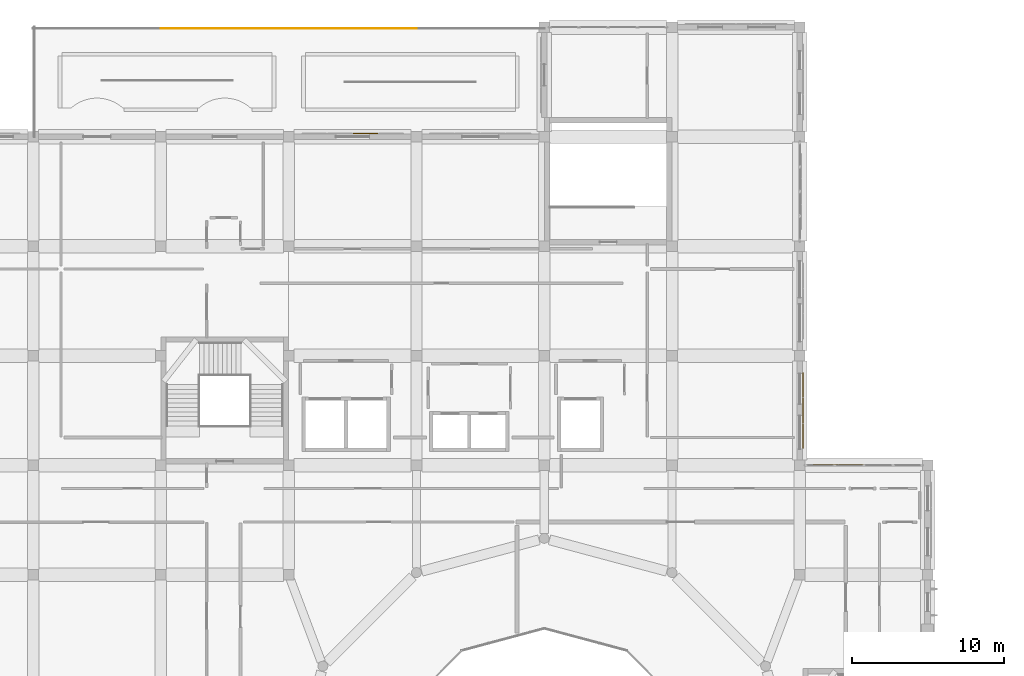
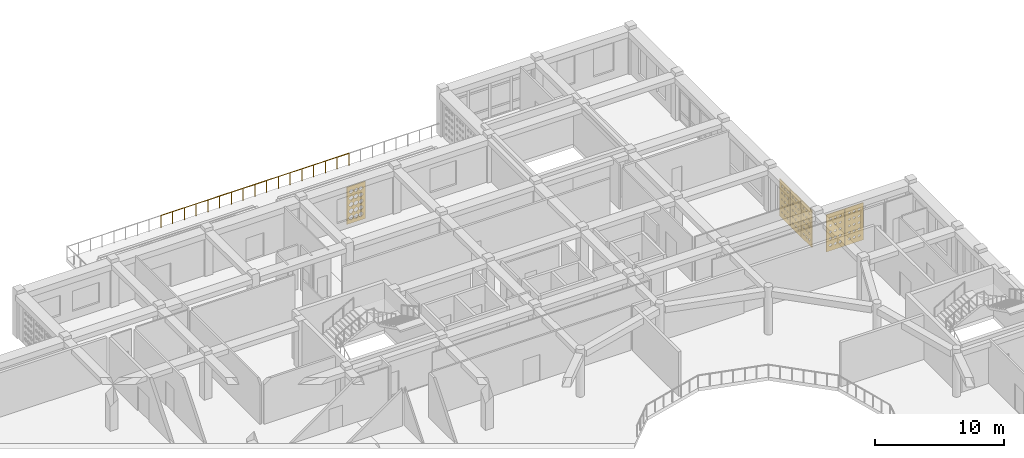
# One storey, part 73 of 79: 6 coverings, 2 railings.
"""IFC4 building model written with IfcOpenShell, lengths in metres."""

from ifc_helpers import new_model, si_unit, derived_unit, direction, frame, origin, origin_2d, place, context, subcontext, project, spatial, polyline, circle, outline, extrude, material, layer, layer_set, type_object, element, save


model = new_model("IFC4")

# Units and contexts
model_context = context("Model", 3, precision=1e-05, world=origin(), true_north=direction((0.0, 1.0)))
body_context = subcontext(model_context, "Body", "Model", "MODEL_VIEW")
ifc_project = project(units=[si_unit("LENGTHUNIT", "METRE"), si_unit("AREAUNIT", "SQUARE_METRE"), si_unit("VOLUMEUNIT", "CUBIC_METRE"), si_unit("PLANEANGLEUNIT", "RADIAN"), si_unit("MASSUNIT", "GRAM", prefix="KILO"), derived_unit("THERMALTRANSMITTANCEUNIT", [(si_unit("POWERUNIT", "WATT"), 1), (si_unit("LENGTHUNIT", "METRE"), -2), (si_unit("THERMODYNAMICTEMPERATUREUNIT", "KELVIN"), -1)])], contexts=[model_context])

# Site, building, storey
site_placement = place(None, origin())
site = spatial("IfcSite", under=ifc_project, at=site_placement, CompositionType="ELEMENT")
building_placement = place(site_placement, origin())
building = spatial("IfcBuilding", under=site, at=building_placement, Name="Veybourne Emporium", CompositionType="ELEMENT")
storey_placement = place(building_placement, frame((0.0, 0.0, 18.89990234375)))
storey = spatial("IfcBuildingStorey", under=building, at=storey_placement, Name="L04", CompositionType="ELEMENT", Elevation=18.89990234375)

# Railings
ifc_material_1 = material(Name="Patinated Architectural Bronze", Category="bronze")
railing_type = type_object("IfcRailingType", Name="Guard_GR-02", PredefinedType="GUARDRAIL", material=ifc_material_1)
railing_1_placement = place(storey_placement, frame((50.39990234375, 100.719970703125, 0.0)))
element("IfcRailing", 1, at=railing_1_placement, inside=storey, type_object=railing_type, Name="L04 terrace perimeter guardrail 003", PredefinedType="GUARDRAIL", context=body_context, shape_type="SweptSolid", body=[
    extrude(circle(Radius=0.02392578125, at=origin_2d()), frame((0.0, 0.0, 1.1259765625), z_axis=(1.0, 0.0, 0.0), x_axis=(0.0, 1.0, 0.0)), (0.0, 0.0, 1.0), 8.400146484375),
    extrude(circle(Radius=0.02099609375, at=origin_2d()), origin(), (0.0, 0.0, 1.0), 1.101806640625),
    extrude(circle(Radius=0.02099609375, at=origin_2d()), frame((1.050048828125, 0.0, 0.0)), (0.0, 0.0, 1.0), 1.101806640625),
    extrude(circle(Radius=0.02099609375, at=origin_2d()), frame((2.10009765625, 0.0, 0.0)), (0.0, 0.0, 1.0), 1.101806640625),
    extrude(circle(Radius=0.02099609375, at=origin_2d()), frame((3.150146484375, 0.0, 0.0)), (0.0, 0.0, 1.0), 1.101806640625),
    extrude(circle(Radius=0.02099609375, at=origin_2d()), frame((4.2001953125, 0.0, 0.0)), (0.0, 0.0, 1.0), 1.101806640625),
    extrude(circle(Radius=0.02099609375, at=origin_2d()), frame((5.25, 0.0, 0.0)), (0.0, 0.0, 1.0), 1.101806640625),
    extrude(circle(Radius=0.02099609375, at=origin_2d()), frame((6.300048828125, 0.0, 0.0)), (0.0, 0.0, 1.0), 1.101806640625),
    extrude(circle(Radius=0.02099609375, at=origin_2d()), frame((7.35009765625, 0.0, 0.0)), (0.0, 0.0, 1.0), 1.101806640625),
    extrude(circle(Radius=0.02099609375, at=origin_2d()), frame((8.400146484375, 0.0, 0.0)), (0.0, 0.0, 1.0), 1.101806640625),
])
railing_2_placement = place(storey_placement, frame((58.800048828125, 100.719970703125, 0.0)))
element("IfcRailing", 2, at=railing_2_placement, inside=storey, type_object=railing_type, Name="L04 terrace perimeter guardrail 004", PredefinedType="GUARDRAIL", context=body_context, shape_type="SweptSolid", body=[
    extrude(circle(Radius=0.02392578125, at=origin_2d()), frame((0.0, 0.0, 1.1259765625), z_axis=(1.0, 0.0, 0.0), x_axis=(0.0, 1.0, 0.0)), (0.0, 0.0, 1.0), 8.39990234375),
    extrude(circle(Radius=0.02099609375, at=origin_2d()), origin(), (0.0, 0.0, 1.0), 1.101806640625),
    extrude(circle(Radius=0.02099609375, at=origin_2d()), frame((1.050048828125, 0.0, 0.0)), (0.0, 0.0, 1.0), 1.101806640625),
    extrude(circle(Radius=0.02099609375, at=origin_2d()), frame((2.10009765625, 0.0, 0.0)), (0.0, 0.0, 1.0), 1.101806640625),
    extrude(circle(Radius=0.02099609375, at=origin_2d()), frame((3.14990234375, 0.0, 0.0)), (0.0, 0.0, 1.0), 1.101806640625),
    extrude(circle(Radius=0.02099609375, at=origin_2d()), frame((4.199951171875, 0.0, 0.0)), (0.0, 0.0, 1.0), 1.101806640625),
    extrude(circle(Radius=0.02099609375, at=origin_2d()), frame((5.25, 0.0, 0.0)), (0.0, 0.0, 1.0), 1.101806640625),
    extrude(circle(Radius=0.02099609375, at=origin_2d()), frame((6.2998046875, 0.0, 0.0)), (0.0, 0.0, 1.0), 1.101806640625),
    extrude(circle(Radius=0.02099609375, at=origin_2d()), frame((7.349853515625, 0.0, 0.0)), (0.0, 0.0, 1.0), 1.101806640625),
    extrude(circle(Radius=0.02099609375, at=origin_2d()), frame((8.39990234375, 0.0, 0.0)), (0.0, 0.0, 1.0), 1.101806640625),
])

# Coverings
ifc_material_2 = material(Name="Warm-White Perforated Aluminium Screen Alloy", Category="aluminium")
ifc_layer_1 = layer(ifc_material_2, 0.06005859375)
ifc_layer_set_1 = layer_set([ifc_layer_1], Name="Warm-White Perforated Aluminium Screen Alloy")
covering_type_1 = type_object("IfcCoveringType", Name="WaveScreen_SCR-01", PredefinedType="CLADDING", material=ifc_layer_set_1)
covering_1_placement = place(storey_placement, frame((92.64794921875, 77.280029296875, 1.815185546875), z_axis=(-1.0, 0.0, 0.0), x_axis=(0.0, -1.0, 0.0)))
element("IfcCovering", 3, at=covering_1_placement, inside=storey, type_object=covering_type_1, Name="L04 wave-perforated aluminium screen SCR-01 (43.1)", PredefinedType="CLADDING", context=body_context, shape_type="SweptSolid", body=[
    extrude(outline(polyline([(-0.81982421875, -1.7548828125), (0.81982421875, -1.7548828125), (0.81982421875, 1.7548828125), (-0.81982421875, 1.7548828125), (-0.81982421875, -1.7548828125)]), holes=[polyline([(-0.433349609375, -1.117919921875), (-0.333251953125, -1.1884765625), (-0.333251953125, -1.267578125), (-0.433349609375, -1.337890625), (-0.533203125, -1.267578125), (-0.533203125, -1.1884765625), (-0.433349609375, -1.117919921875)]), polyline([(-0.433349609375, -0.5029296875), (-0.33251953125, -0.573974609375), (-0.33251953125, -0.654052734375), (-0.433349609375, -0.72509765625), (-0.5341796875, -0.654052734375), (-0.5341796875, -0.573974609375), (-0.433349609375, -0.5029296875)]), polyline([(-0.433349609375, 0.114501953125), (-0.32958984375, 0.041259765625), (-0.32958984375, -0.041259765625), (-0.433349609375, -0.114501953125), (-0.537109375, -0.041259765625), (-0.537109375, 0.041259765625), (-0.433349609375, 0.114501953125)]), polyline([(-0.433349609375, 0.734130859375), (-0.324951171875, 0.6572265625), (-0.324951171875, 0.57080078125), (-0.433349609375, 0.493896484375), (-0.541748046875, 0.57080078125), (-0.541748046875, 0.6572265625), (-0.433349609375, 0.734130859375)]), polyline([(-0.433349609375, 1.356201171875), (-0.318603515625, 1.274169921875), (-0.318603515625, 1.181884765625), (-0.433349609375, 1.099853515625), (-0.548095703125, 1.181884765625), (-0.548095703125, 1.274169921875), (-0.433349609375, 1.356201171875)]), polyline([(0.0, -1.11767578125), (0.100341796875, -1.188232421875), (0.100341796875, -1.267578125), (0.0, -1.33837890625), (-0.100341796875, -1.267578125), (-0.100341796875, -1.188232421875), (0.0, -1.11767578125)]), polyline([(0.0, -0.503662109375), (0.10009765625, -0.57421875), (0.10009765625, -0.65380859375), (0.0, -0.724365234375), (-0.10009765625, -0.65380859375), (-0.10009765625, -0.57421875), (0.0, -0.503662109375)]), polyline([(0.0, 0.112548828125), (0.102294921875, 0.04052734375), (0.102294921875, -0.04052734375), (0.0, -0.112548828125), (-0.102294921875, -0.04052734375), (-0.102294921875, 0.04052734375), (0.0, 0.112548828125)]), polyline([(0.0, 0.7314453125), (0.10595703125, 0.65625), (0.10595703125, 0.57177734375), (0.0, 0.49658203125), (-0.10595703125, 0.57177734375), (-0.10595703125, 0.65625), (0.0, 0.7314453125)]), polyline([(0.0, 1.352294921875), (0.11181640625, 1.272705078125), (0.11181640625, 1.183349609375), (0.0, 1.103759765625), (-0.11181640625, 1.183349609375), (-0.11181640625, 1.272705078125), (0.0, 1.352294921875)]), polyline([(0.433349609375, -1.11669921875), (0.5341796875, -1.18798828125), (0.5341796875, -1.26806640625), (0.433349609375, -1.339111328125), (0.33251953125, -1.26806640625), (0.33251953125, -1.18798828125), (0.433349609375, -1.11669921875)]), polyline([(0.433349609375, -0.50390625), (0.533203125, -0.574462890625), (0.533203125, -0.653564453125), (0.433349609375, -0.72412109375), (0.333251953125, -0.653564453125), (0.333251953125, -0.574462890625), (0.433349609375, -0.50390625)]), polyline([(0.433349609375, 0.111328125), (0.534423828125, 0.0400390625), (0.534423828125, -0.0400390625), (0.433349609375, -0.111328125), (0.332275390625, -0.0400390625), (0.332275390625, 0.0400390625), (0.433349609375, 0.111328125)]), polyline([(0.433349609375, 0.72900390625), (0.537353515625, 0.655517578125), (0.537353515625, 0.572509765625), (0.433349609375, 0.4990234375), (0.329345703125, 0.572509765625), (0.329345703125, 0.655517578125), (0.433349609375, 0.72900390625)]), polyline([(0.433349609375, 1.348876953125), (0.542236328125, 1.271484375), (0.542236328125, 1.1845703125), (0.433349609375, 1.107177734375), (0.324462890625, 1.1845703125), (0.324462890625, 1.271484375), (0.433349609375, 1.348876953125)])]), origin(), (0.0, 0.0, 1.0), 0.06005859375),
])
covering_2_placement = place(storey_placement, frame((95.760009765625, 72.093017578125, 1.815185546875), z_axis=(0.0, -1.0, 0.0), x_axis=(1.0, 0.0, 0.0)))
element("IfcCovering", 4, at=covering_2_placement, inside=storey, type_object=covering_type_1, Name="L04 wave-perforated aluminium screen SCR-01 (54C.2)", PredefinedType="CLADDING", context=body_context, shape_type="SweptSolid", body=[
    extrude(outline(polyline([(-0.81982421875, -1.7548828125), (0.81982421875, -1.7548828125), (0.81982421875, 1.7548828125), (-0.81982421875, 1.7548828125), (-0.81982421875, -1.7548828125)]), holes=[polyline([(-0.433349609375, -1.106201171875), (-0.32373046875, -1.18408203125), (-0.32373046875, -1.27197265625), (-0.433349609375, -1.349853515625), (-0.54296875, -1.27197265625), (-0.54296875, -1.18408203125), (-0.433349609375, -1.106201171875)]), polyline([(-0.433349609375, -0.498291015625), (-0.328857421875, -0.572509765625), (-0.328857421875, -0.655517578125), (-0.433349609375, -0.7294921875), (-0.537841796875, -0.655517578125), (-0.537841796875, -0.572509765625), (-0.433349609375, -0.498291015625)]), polyline([(-0.433349609375, 0.111572265625), (-0.33203125, 0.040283203125), (-0.33203125, -0.040283203125), (-0.433349609375, -0.111572265625), (-0.53466796875, -0.040283203125), (-0.53466796875, 0.040283203125), (-0.433349609375, 0.111572265625)]), polyline([(-0.433349609375, 0.72412109375), (-0.333251953125, 0.653564453125), (-0.333251953125, 0.574462890625), (-0.433349609375, 0.50390625), (-0.533447265625, 0.574462890625), (-0.533447265625, 0.653564453125), (-0.433349609375, 0.72412109375)]), polyline([(-0.433349609375, 1.3388671875), (-0.33251953125, 1.267822265625), (-0.33251953125, 1.18798828125), (-0.433349609375, 1.1171875), (-0.5341796875, 1.18798828125), (-0.5341796875, 1.267822265625), (-0.433349609375, 1.3388671875)]), polyline([(0.0, -1.109375), (0.107177734375, -1.185302734375), (0.107177734375, -1.270751953125), (0.0, -1.3466796875), (-0.107177734375, -1.270751953125), (-0.107177734375, -1.185302734375), (0.0, -1.109375)]), polyline([(0.0, -0.50048828125), (0.102783203125, -0.572998046875), (0.102783203125, -0.65478515625), (0.0, -0.7275390625), (-0.102783203125, -0.65478515625), (-0.102783203125, -0.572998046875), (0.0, -0.50048828125)]), polyline([(0.0, 0.110595703125), (0.1005859375, 0.039794921875), (0.1005859375, -0.039794921875), (0.0, -0.110595703125), (-0.1005859375, -0.039794921875), (-0.1005859375, 0.039794921875), (0.0, 0.110595703125)]), polyline([(0.0, 0.72412109375), (0.10009765625, 0.653564453125), (0.10009765625, 0.574462890625), (0.0, 0.50390625), (-0.10009765625, 0.574462890625), (-0.10009765625, 0.653564453125), (0.0, 0.72412109375)]), polyline([(0.0, 1.340087890625), (0.101806640625, 1.268310546875), (0.101806640625, 1.187744140625), (0.0, 1.115966796875), (-0.101806640625, 1.187744140625), (-0.101806640625, 1.268310546875), (0.0, 1.340087890625)]), polyline([(0.433349609375, -1.11181640625), (0.538330078125, -1.186279296875), (0.538330078125, -1.269775390625), (0.433349609375, -1.343994140625), (0.328369140625, -1.269775390625), (0.328369140625, -1.186279296875), (0.433349609375, -1.11181640625)]), polyline([(0.433349609375, -0.502197265625), (0.534912109375, -0.57373046875), (0.534912109375, -0.654296875), (0.433349609375, -0.725830078125), (0.331787109375, -0.654296875), (0.331787109375, -0.57373046875), (0.433349609375, -0.502197265625)]), polyline([(0.433349609375, 0.110107421875), (0.533447265625, 0.03955078125), (0.533447265625, -0.03955078125), (0.433349609375, -0.110107421875), (0.333251953125, -0.03955078125), (0.333251953125, 0.03955078125), (0.433349609375, 0.110107421875)]), polyline([(0.433349609375, 0.724609375), (0.533935546875, 0.65380859375), (0.533935546875, 0.57421875), (0.433349609375, 0.50341796875), (0.332763671875, 0.57421875), (0.332763671875, 0.65380859375), (0.433349609375, 0.724609375)]), polyline([(0.433349609375, 1.341796875), (0.536376953125, 1.268798828125), (0.536376953125, 1.18701171875), (0.433349609375, 1.1142578125), (0.330322265625, 1.18701171875), (0.330322265625, 1.268798828125), (0.433349609375, 1.341796875)])]), origin(), (0.0, 0.0, 1.0), 0.06005859375),
])
ifc_layer_2 = layer(ifc_material_2, 0.06005859375)
ifc_layer_set_2 = layer_set([ifc_layer_2], Name="Warm-White Perforated Aluminium Screen Alloy")
covering_type_2 = type_object("IfcCoveringType", Name="WaveScreen_SCR-02", PredefinedType="CLADDING", material=ifc_layer_set_2)
covering_3_placement = place(storey_placement, frame((92.64794921875, 75.60009765625, 1.815185546875), z_axis=(-1.0, 0.0, 0.0), x_axis=(0.0, -1.0, 0.0)))
element("IfcCovering", 5, at=covering_3_placement, inside=storey, type_object=covering_type_2, Name="L04 wave-perforated aluminium screen SCR-02 (43.2)", PredefinedType="CLADDING", context=body_context, shape_type="SweptSolid", body=[
    extrude(outline(polyline([(-0.81982421875, -1.7548828125), (0.81982421875, -1.7548828125), (0.81982421875, 1.7548828125), (-0.81982421875, 1.7548828125), (-0.81982421875, -1.7548828125)]), holes=[polyline([(-0.433349609375, -1.114013671875), (-0.330078125, -1.18701171875), (-0.330078125, -1.26904296875), (-0.433349609375, -1.342041015625), (-0.53662109375, -1.26904296875), (-0.53662109375, -1.18701171875), (-0.433349609375, -1.114013671875)]), polyline([(-0.433349609375, -0.503173828125), (-0.33251953125, -0.57421875), (-0.33251953125, -0.65380859375), (-0.433349609375, -0.724853515625), (-0.533935546875, -0.65380859375), (-0.533935546875, -0.57421875), (-0.433349609375, -0.503173828125)]), polyline([(-0.433349609375, 0.110107421875), (-0.333251953125, 0.03955078125), (-0.333251953125, -0.03955078125), (-0.433349609375, -0.110107421875), (-0.533447265625, -0.03955078125), (-0.533447265625, 0.03955078125), (-0.433349609375, 0.110107421875)]), polyline([(-0.433349609375, 0.7255859375), (-0.33203125, 0.654296875), (-0.33203125, 0.57373046875), (-0.433349609375, 0.502197265625), (-0.53466796875, 0.57373046875), (-0.53466796875, 0.654296875), (-0.433349609375, 0.7255859375)]), polyline([(-0.433349609375, 1.34375), (-0.32861328125, 1.26953125), (-0.32861328125, 1.186279296875), (-0.433349609375, 1.1123046875), (-0.5380859375, 1.186279296875), (-0.5380859375, 1.26953125), (-0.433349609375, 1.34375)]), polyline([(0.0, -1.11181640625), (0.10498046875, -1.18603515625), (0.10498046875, -1.27001953125), (0.0, -1.34423828125), (-0.10498046875, -1.27001953125), (-0.10498046875, -1.18603515625), (0.0, -1.11181640625)]), polyline([(0.0, -0.501953125), (0.1015625, -0.57373046875), (0.1015625, -0.654296875), (0.0, -0.72607421875), (-0.1015625, -0.654296875), (-0.1015625, -0.57373046875), (0.0, -0.501953125)]), polyline([(0.0, 0.110107421875), (0.10009765625, 0.03955078125), (0.10009765625, -0.03955078125), (0.0, -0.110107421875), (-0.10009765625, -0.03955078125), (-0.10009765625, 0.03955078125), (0.0, 0.110107421875)]), polyline([(0.0, 0.724609375), (0.1005859375, 0.65380859375), (0.1005859375, 0.57421875), (0.0, 0.50341796875), (-0.1005859375, 0.57421875), (-0.1005859375, 0.65380859375), (0.0, 0.724609375)]), polyline([(0.0, 1.341552734375), (0.102783203125, 1.268798828125), (0.102783203125, 1.18701171875), (0.0, 1.114501953125), (-0.102783203125, 1.18701171875), (-0.102783203125, 1.268798828125), (0.0, 1.341552734375)]), polyline([(0.433349609375, -1.10888671875), (0.540771484375, -1.185302734375), (0.540771484375, -1.270751953125), (0.433349609375, -1.346923828125), (0.325927734375, -1.270751953125), (0.325927734375, -1.185302734375), (0.433349609375, -1.10888671875)]), polyline([(0.433349609375, -0.500244140625), (0.536376953125, -0.572998046875), (0.536376953125, -0.65478515625), (0.433349609375, -0.727783203125), (0.330322265625, -0.65478515625), (0.330322265625, -0.572998046875), (0.433349609375, -0.500244140625)]), polyline([(0.433349609375, 0.110595703125), (0.533935546875, 0.039794921875), (0.533935546875, -0.039794921875), (0.433349609375, -0.110595703125), (0.332763671875, -0.039794921875), (0.332763671875, 0.039794921875), (0.433349609375, 0.110595703125)]), polyline([(0.433349609375, 0.72412109375), (0.533447265625, 0.653564453125), (0.533447265625, 0.574462890625), (0.433349609375, 0.50390625), (0.333251953125, 0.574462890625), (0.333251953125, 0.653564453125), (0.433349609375, 0.72412109375)]), polyline([(0.433349609375, 1.33984375), (0.534912109375, 1.268310546875), (0.534912109375, 1.187744140625), (0.433349609375, 1.1162109375), (0.331787109375, 1.187744140625), (0.331787109375, 1.268310546875), (0.433349609375, 1.33984375)])]), origin(), (0.0, 0.0, 1.0), 0.06005859375),
])
ifc_layer_3 = layer(ifc_material_2, 0.06005859375)
ifc_layer_set_3 = layer_set([ifc_layer_3], Name="Warm-White Perforated Aluminium Screen Alloy")
covering_type_3 = type_object("IfcCoveringType", Name="WaveScreen_SCR-03", PredefinedType="CLADDING", material=ifc_layer_set_3)
covering_4_placement = place(storey_placement, frame((63.840087890625, 93.84814453125, 1.815185546875), z_axis=(0.0, -1.0, 0.0), x_axis=(1.0, 0.0, 0.0)))
element("IfcCovering", 6, at=covering_4_placement, inside=storey, type_object=covering_type_3, Name="L04 wave-perforated aluminium screen SCR-03 (35T.3)", PredefinedType="CLADDING", context=body_context, shape_type="SweptSolid", body=[
    extrude(outline(polyline([(-0.81982421875, -1.7548828125), (0.81982421875, -1.7548828125), (0.81982421875, 1.7548828125), (-0.81982421875, 1.7548828125), (-0.81982421875, -1.7548828125)]), holes=[polyline([(-0.433349609375, -0.976318359375), (-0.2470703125, -1.137451171875), (-0.2470703125, -1.318603515625), (-0.433349609375, -1.479736328125), (-0.61962890625, -1.318603515625), (-0.61962890625, -1.137451171875), (-0.433349609375, -0.976318359375)]), polyline([(-0.433349609375, -0.373046875), (-0.2470703125, -0.527099609375), (-0.2470703125, -0.70068359375), (-0.433349609375, -0.85498046875), (-0.61962890625, -0.70068359375), (-0.61962890625, -0.527099609375), (-0.433349609375, -0.373046875)]), polyline([(-0.433349609375, 0.22900390625), (-0.2470703125, 0.08251953125), (-0.2470703125, -0.08251953125), (-0.433349609375, -0.22900390625), (-0.61962890625, -0.08251953125), (-0.61962890625, 0.08251953125), (-0.433349609375, 0.22900390625)]), polyline([(-0.433349609375, 0.82958984375), (-0.2470703125, 0.691650390625), (-0.2470703125, 0.536376953125), (-0.433349609375, 0.398193359375), (-0.61962890625, 0.536376953125), (-0.61962890625, 0.691650390625), (-0.433349609375, 0.82958984375)]), polyline([(-0.433349609375, 1.4296875), (-0.25830078125, 1.30078125), (-0.25830078125, 1.1552734375), (-0.433349609375, 1.026123046875), (-0.6083984375, 1.1552734375), (-0.6083984375, 1.30078125), (-0.433349609375, 1.4296875)]), polyline([(0.0, -0.98095703125), (0.186279296875, -1.13916015625), (0.186279296875, -1.31689453125), (0.0, -1.47509765625), (-0.186279296875, -1.31689453125), (-0.186279296875, -1.13916015625), (0.0, -0.98095703125)]), polyline([(0.0, -0.37841796875), (0.186279296875, -0.529296875), (0.186279296875, -0.69873046875), (0.0, -0.849609375), (-0.186279296875, -0.69873046875), (-0.186279296875, -0.529296875), (0.0, -0.37841796875)]), polyline([(0.0, 0.222900390625), (0.186279296875, 0.080322265625), (0.186279296875, -0.080322265625), (0.0, -0.222900390625), (-0.186279296875, -0.080322265625), (-0.186279296875, 0.080322265625), (0.0, 0.222900390625)]), polyline([(0.0, 0.823486328125), (0.181396484375, 0.689453125), (0.181396484375, 0.53857421875), (0.0, 0.404541015625), (-0.181396484375, 0.53857421875), (-0.181396484375, 0.689453125), (0.0, 0.823486328125)]), polyline([(0.0, 1.42333984375), (0.169921875, 1.29833984375), (0.169921875, 1.15771484375), (0.0, 1.03271484375), (-0.169921875, 1.15771484375), (-0.169921875, 1.29833984375), (0.0, 1.42333984375)]), polyline([(0.433349609375, -0.98583984375), (0.61962890625, -1.140869140625), (0.61962890625, -1.315185546875), (0.433349609375, -1.47021484375), (0.2470703125, -1.315185546875), (0.2470703125, -1.140869140625), (0.433349609375, -0.98583984375)]), polyline([(0.433349609375, -0.3837890625), (0.61962890625, -0.53125), (0.61962890625, -0.69677734375), (0.433349609375, -0.843994140625), (0.2470703125, -0.69677734375), (0.2470703125, -0.53125), (0.433349609375, -0.3837890625)]), polyline([(0.433349609375, 0.216796875), (0.61962890625, 0.078125), (0.61962890625, -0.078125), (0.433349609375, -0.216796875), (0.2470703125, -0.078125), (0.2470703125, 0.078125), (0.433349609375, 0.216796875)]), polyline([(0.433349609375, 0.817138671875), (0.609619140625, 0.68701171875), (0.609619140625, 0.541015625), (0.433349609375, 0.410888671875), (0.257080078125, 0.541015625), (0.257080078125, 0.68701171875), (0.433349609375, 0.817138671875)]), polyline([(0.433349609375, 1.4169921875), (0.597900390625, 1.2958984375), (0.597900390625, 1.159912109375), (0.433349609375, 1.0390625), (0.268798828125, 1.159912109375), (0.268798828125, 1.2958984375), (0.433349609375, 1.4169921875)])]), origin(), (0.0, 0.0, 1.0), 0.06005859375),
])
covering_5_placement = place(storey_placement, frame((92.64794921875, 73.919921875, 1.815185546875), z_axis=(-1.0, 0.0, 0.0), x_axis=(0.0, -1.0, 0.0)))
element("IfcCovering", 7, at=covering_5_placement, inside=storey, type_object=covering_type_3, Name="L04 wave-perforated aluminium screen SCR-03 (43.3)", PredefinedType="CLADDING", context=body_context, shape_type="SweptSolid", body=[
    extrude(outline(polyline([(-0.81982421875, -1.7548828125), (0.81982421875, -1.7548828125), (0.81982421875, 1.7548828125), (-0.81982421875, 1.7548828125), (-0.81982421875, -1.7548828125)]), holes=[polyline([(-0.433349609375, -1.102783203125), (-0.32080078125, -1.182861328125), (-0.32080078125, -1.273193359375), (-0.433349609375, -1.353271484375), (-0.5458984375, -1.273193359375), (-0.5458984375, -1.182861328125), (-0.433349609375, -1.102783203125)]), polyline([(-0.433349609375, -0.49609375), (-0.326904296875, -0.571533203125), (-0.326904296875, -0.656494140625), (-0.433349609375, -0.73193359375), (-0.539794921875, -0.656494140625), (-0.539794921875, -0.571533203125), (-0.433349609375, -0.49609375)]), polyline([(-0.433349609375, 0.113037109375), (-0.330810546875, 0.040771484375), (-0.330810546875, -0.040771484375), (-0.433349609375, -0.113037109375), (-0.535888671875, -0.040771484375), (-0.535888671875, 0.040771484375), (-0.433349609375, 0.113037109375)]), polyline([(-0.433349609375, 0.724365234375), (-0.3330078125, 0.65380859375), (-0.3330078125, 0.57421875), (-0.433349609375, 0.503662109375), (-0.53369140625, 0.57421875), (-0.53369140625, 0.65380859375), (-0.433349609375, 0.724365234375)]), polyline([(-0.433349609375, 1.338134765625), (-0.333251953125, 1.267578125), (-0.333251953125, 1.188232421875), (-0.433349609375, 1.117919921875), (-0.533447265625, 1.188232421875), (-0.533447265625, 1.267578125), (-0.433349609375, 1.338134765625)]), polyline([(0.0, -1.098876953125), (0.11572265625, -1.181396484375), (0.11572265625, -1.2744140625), (0.0, -1.357177734375), (-0.11572265625, -1.2744140625), (-0.11572265625, -1.181396484375), (0.0, -1.098876953125)]), polyline([(0.0, -0.492919921875), (0.10888671875, -0.5703125), (0.10888671875, -0.65771484375), (0.0, -0.735107421875), (-0.10888671875, -0.65771484375), (-0.10888671875, -0.5703125), (0.0, -0.492919921875)]), polyline([(0.0, 0.114990234375), (0.10400390625, 0.04150390625), (0.10400390625, -0.04150390625), (0.0, -0.114990234375), (-0.10400390625, -0.04150390625), (-0.10400390625, 0.04150390625), (0.0, 0.114990234375)]), polyline([(0.0, 0.725341796875), (0.10107421875, 0.654052734375), (0.10107421875, 0.573974609375), (0.0, 0.502685546875), (-0.10107421875, 0.573974609375), (-0.10107421875, 0.654052734375), (0.0, 0.725341796875)]), polyline([(0.0, 1.337890625), (0.10009765625, 1.267578125), (0.10009765625, 1.1884765625), (0.0, 1.117919921875), (-0.10009765625, 1.1884765625), (-0.10009765625, 1.267578125), (0.0, 1.337890625)]), polyline([(0.433349609375, -1.094482421875), (0.552490234375, -1.179931640625), (0.552490234375, -1.27587890625), (0.433349609375, -1.361572265625), (0.314208984375, -1.27587890625), (0.314208984375, -1.179931640625), (0.433349609375, -1.094482421875)]), polyline([(0.433349609375, -0.489501953125), (0.545166015625, -0.569091796875), (0.545166015625, -0.65869140625), (0.433349609375, -0.738525390625), (0.321533203125, -0.65869140625), (0.321533203125, -0.569091796875), (0.433349609375, -0.489501953125)]), polyline([(0.433349609375, 0.117431640625), (0.53955078125, 0.042236328125), (0.53955078125, -0.042236328125), (0.433349609375, -0.117431640625), (0.3271484375, -0.042236328125), (0.3271484375, 0.042236328125), (0.433349609375, 0.117431640625)]), polyline([(0.433349609375, 0.726806640625), (0.53564453125, 0.654541015625), (0.53564453125, 0.573486328125), (0.433349609375, 0.501220703125), (0.3310546875, 0.573486328125), (0.3310546875, 0.654541015625), (0.433349609375, 0.726806640625)]), polyline([(0.433349609375, 1.33837890625), (0.53369140625, 1.267578125), (0.53369140625, 1.188232421875), (0.433349609375, 1.11767578125), (0.3330078125, 1.188232421875), (0.3330078125, 1.267578125), (0.433349609375, 1.33837890625)])]), origin(), (0.0, 0.0, 1.0), 0.06005859375),
])
ifc_layer_4 = layer(ifc_material_2, 0.06005859375)
ifc_layer_set_4 = layer_set([ifc_layer_4], Name="Warm-White Perforated Aluminium Screen Alloy")
covering_type_4 = type_object("IfcCoveringType", Name="WaveScreen_SCR-04", PredefinedType="CLADDING", material=ifc_layer_set_4)
covering_6_placement = place(storey_placement, frame((94.080078125, 72.093017578125, 1.815185546875), z_axis=(0.0, -1.0, 0.0), x_axis=(1.0, 0.0, 0.0)))
element("IfcCovering", 8, at=covering_6_placement, inside=storey, type_object=covering_type_4, Name="L04 wave-perforated aluminium screen SCR-04 (54C.1)", PredefinedType="CLADDING", context=body_context, shape_type="SweptSolid", body=[
    extrude(outline(polyline([(-0.81982421875, -1.7548828125), (0.81982421875, -1.7548828125), (0.81982421875, 1.7548828125), (-0.81982421875, 1.7548828125), (-0.81982421875, -1.7548828125)]), holes=[polyline([(-0.433349609375, -1.09033203125), (-0.310791015625, -1.178466796875), (-0.310791015625, -1.277587890625), (-0.433349609375, -1.36572265625), (-0.555908203125, -1.277587890625), (-0.555908203125, -1.178466796875), (-0.433349609375, -1.09033203125)]), polyline([(-0.433349609375, -0.486083984375), (-0.318603515625, -0.56787109375), (-0.318603515625, -0.66015625), (-0.433349609375, -0.741943359375), (-0.548095703125, -0.66015625), (-0.548095703125, -0.56787109375), (-0.433349609375, -0.486083984375)]), polyline([(-0.433349609375, 0.1201171875), (-0.3251953125, 0.043212890625), (-0.3251953125, -0.043212890625), (-0.433349609375, -0.1201171875), (-0.54150390625, -0.043212890625), (-0.54150390625, 0.043212890625), (-0.433349609375, 0.1201171875)]), polyline([(-0.433349609375, 0.728515625), (-0.32958984375, 0.6552734375), (-0.32958984375, 0.57275390625), (-0.433349609375, 0.49951171875), (-0.536865234375, 0.57275390625), (-0.536865234375, 0.6552734375), (-0.433349609375, 0.728515625)]), polyline([(-0.433349609375, 1.339111328125), (-0.33251953125, 1.26806640625), (-0.33251953125, 1.18798828125), (-0.433349609375, 1.116943359375), (-0.5341796875, 1.18798828125), (-0.5341796875, 1.26806640625), (-0.433349609375, 1.339111328125)]), polyline([(0.0, -1.094970703125), (0.118896484375, -1.18017578125), (0.118896484375, -1.27587890625), (0.0, -1.361083984375), (-0.118896484375, -1.27587890625), (-0.118896484375, -1.18017578125), (0.0, -1.094970703125)]), polyline([(0.0, -0.489990234375), (0.111572265625, -0.5693359375), (0.111572265625, -0.65869140625), (0.0, -0.738037109375), (-0.111572265625, -0.65869140625), (-0.111572265625, -0.5693359375), (0.0, -0.489990234375)]), polyline([(0.0, 0.1171875), (0.10595703125, 0.042236328125), (0.10595703125, -0.042236328125), (0.0, -0.1171875), (-0.10595703125, -0.042236328125), (-0.10595703125, 0.042236328125), (0.0, 0.1171875)]), polyline([(0.0, 0.7265625), (0.10205078125, 0.654541015625), (0.10205078125, 0.573486328125), (0.0, 0.50146484375), (-0.10205078125, 0.573486328125), (-0.10205078125, 0.654541015625), (0.0, 0.7265625)]), polyline([(0.0, 1.33837890625), (0.10009765625, 1.267578125), (0.10009765625, 1.188232421875), (0.0, 1.11767578125), (-0.10009765625, 1.188232421875), (-0.10009765625, 1.267578125), (0.0, 1.33837890625)]), polyline([(0.433349609375, -1.09912109375), (0.548583984375, -1.181640625), (0.548583984375, -1.2744140625), (0.433349609375, -1.356689453125), (0.318115234375, -1.2744140625), (0.318115234375, -1.181640625), (0.433349609375, -1.09912109375)]), polyline([(0.433349609375, -0.4931640625), (0.5419921875, -0.570556640625), (0.5419921875, -0.657470703125), (0.433349609375, -0.73486328125), (0.324462890625, -0.657470703125), (0.324462890625, -0.570556640625), (0.433349609375, -0.4931640625)]), polyline([(0.433349609375, 0.11474609375), (0.537353515625, 0.041259765625), (0.537353515625, -0.041259765625), (0.433349609375, -0.11474609375), (0.329345703125, -0.041259765625), (0.329345703125, 0.041259765625), (0.433349609375, 0.11474609375)]), polyline([(0.433349609375, 0.72509765625), (0.5341796875, 0.654052734375), (0.5341796875, 0.573974609375), (0.433349609375, 0.502685546875), (0.332275390625, 0.573974609375), (0.332275390625, 0.654052734375), (0.433349609375, 0.72509765625)]), polyline([(0.433349609375, 1.337890625), (0.533203125, 1.267578125), (0.533203125, 1.1884765625), (0.433349609375, 1.117919921875), (0.333251953125, 1.1884765625), (0.333251953125, 1.267578125), (0.433349609375, 1.337890625)])]), origin(), (0.0, 0.0, 1.0), 0.06005859375),
])

save(model, "model.ifc")
